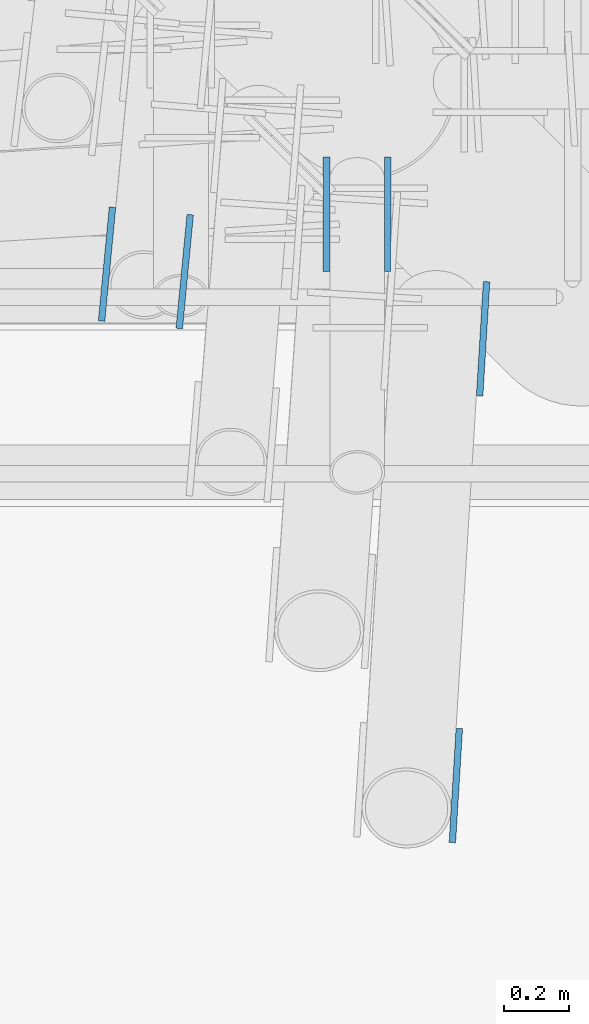
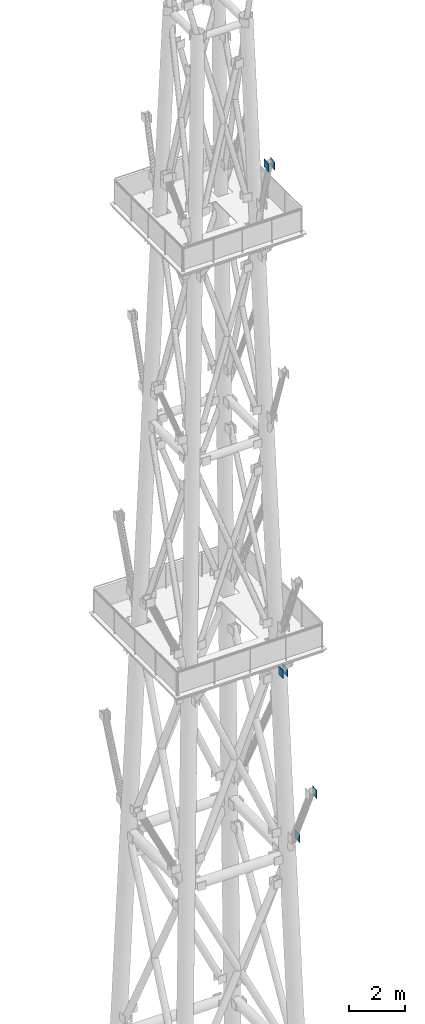
# One storey, part 9 of 25: 6 discrete accessories.
"""IFC4 building model written with IfcOpenShell, lengths in metres."""

from ifc_helpers import new_model, si_unit, direction, frame, origin, origin_2d, place, context, subcontext, project, spatial, rectangle, extrude, element, save


model = new_model("IFC4")

# Units and contexts
model_context = context("Model", 3, precision=1e-05, world=origin(), true_north=direction((0.0, 1.0)))
body_context = subcontext(model_context, "Body", "Model", "MODEL_VIEW")
ifc_project = project(units=[si_unit("LENGTHUNIT", "METRE"), si_unit("AREAUNIT", "SQUARE_METRE"), si_unit("VOLUMEUNIT", "CUBIC_METRE"), si_unit("PLANEANGLEUNIT", "RADIAN"), si_unit("MASSUNIT", "GRAM", prefix="KILO")], contexts=[model_context])

# Site, building, storey
site_placement = place(None, origin())
site = spatial("IfcSite", under=ifc_project, at=site_placement, CompositionType="ELEMENT")
building_placement = place(site_placement, origin())
building = spatial("IfcBuilding", under=site, at=building_placement, Name="Vidyagriha Tower", CompositionType="ELEMENT")
storey_placement = place(building_placement, frame((0.0, 0.0, 318.39990234375)))
storey = spatial("IfcBuildingStorey", under=building, at=storey_placement, Name="RF", CompositionType="ELEMENT", Elevation=318.39990234375)

# Discrete accessories
for number, where, z_axis, x_axis, name in (
    (1, (2.1953125, 10.402587890625, 14.85791015625), (0.0, 0.0, 1.0), (0.060794194772, 0.998150322287, 0.0), "End plate ASTM A572 Grade 50 20mm"),
    (2, (2.11181640625, 9.035400390625, 17.6357421875), (0.0, 0.0, 1.0), (-0.060794194772, -0.998150322287, 0.0), "End plate ASTM A572 Grade 50 20mm"),
    (3, (1.2822265625, 10.6083984375, 44.381103515625), (0.0, 0.0, 1.0), (-0.095661597706, -0.995413913266, 0.0), "End plate ASTM A572 Grade 50 20mm"),
    (4, (1.04443359375, 10.631103515625, 44.381103515625), (0.0, 0.0, 1.0), (-0.095661597706, -0.995413913266, 0.0), "End plate ASTM A572 Grade 50 20mm"),
    (5, (1.716064453125, 10.783447265625, 21.96337890625), (0.0, 0.0, 1.0), (0.0, 1.0, 0.0), "End plate ASTM A572 Grade 50 20mm"),
    (6, (1.904052734375, 10.783447265625, 21.96337890625), (0.0, 0.0, 1.0), (0.0, 1.0, 0.0), "End plate ASTM A572 Grade 50 20mm"),
):
    element("IfcDiscreteAccessory", number, at=place(storey_placement, frame(where, z_axis=z_axis, x_axis=x_axis)), inside=storey, Name=name, ObjectType="END PLATE", PredefinedType="USERDEFINED", context=body_context, shape_type="SweptSolid", body=[
        extrude(rectangle(XDim=0.35009765625, YDim=0.02001953125, at=origin_2d()), origin(), (0.0, 0.0, 1.0), 0.35009765625),
    ])

save(model, "model.ifc")
